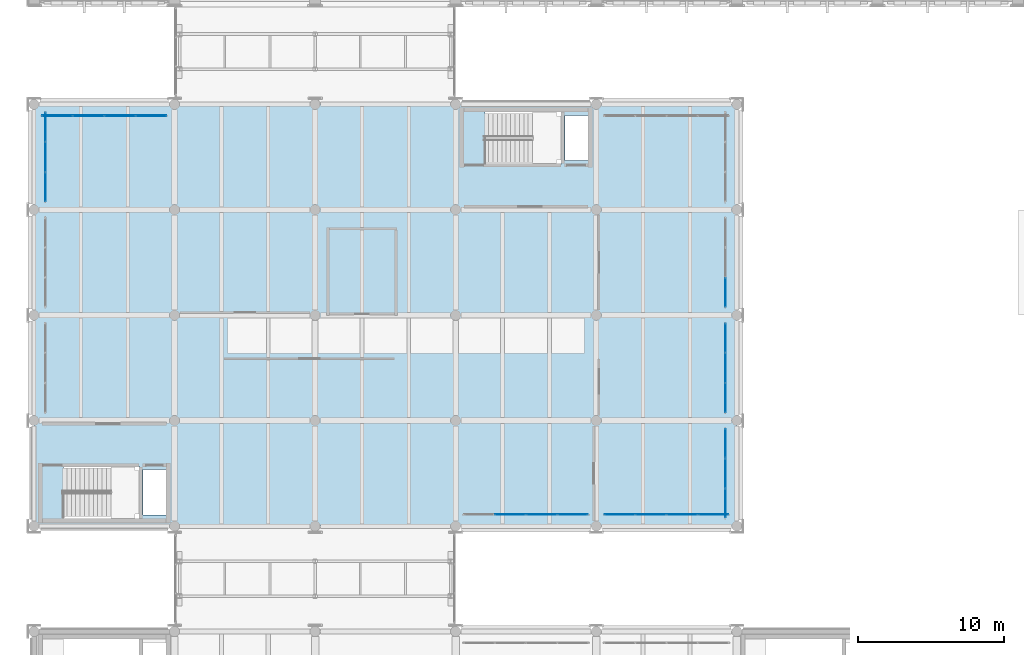
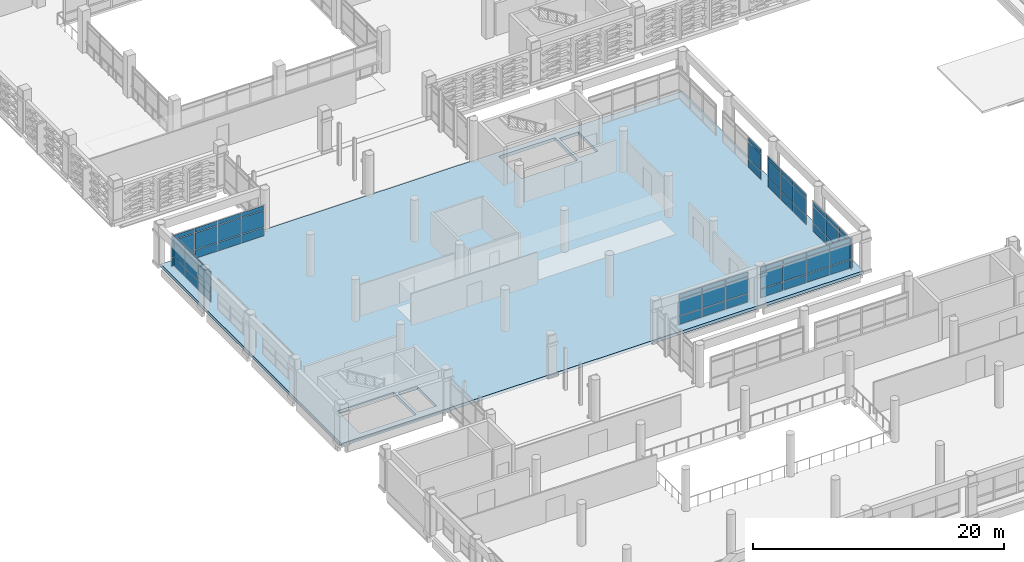
# One storey, part 123 of 180: 63 plates, 1 slab, 7 elements without a shape of their own.
"""IFC4 building model written with IfcOpenShell, lengths in metres."""

from ifc_helpers import new_model, si_unit, direction, frame, origin, origin_2d, place, context, subcontext, project, spatial, polyline, rectangle, outline, extrude, material, layer, layer_set, type_object, element, aggregate, save


model = new_model("IFC4")

# Units and contexts
model_context = context("Model", 3, precision=1e-05, world=origin(), true_north=direction((0.0, 1.0)))
body_context = subcontext(model_context, "Body", "Model", "MODEL_VIEW")
ifc_project = project(units=[si_unit("LENGTHUNIT", "METRE"), si_unit("AREAUNIT", "SQUARE_METRE"), si_unit("VOLUMEUNIT", "CUBIC_METRE"), si_unit("PLANEANGLEUNIT", "RADIAN"), si_unit("MASSUNIT", "GRAM", prefix="KILO")], contexts=[model_context])

# Site, building, storey
site_placement = place(None, origin())
site = spatial("IfcSite", under=ifc_project, at=site_placement, CompositionType="ELEMENT")
building_placement = place(site_placement, origin())
building = spatial("IfcBuilding", under=site, at=building_placement, Name="Asteropetra Specialist Clinic", CompositionType="ELEMENT")
storey_placement = place(building_placement, frame((0.0, 0.0, 4.419921875)))
storey = spatial("IfcBuildingStorey", under=building, at=storey_placement, Name="L01", CompositionType="ELEMENT", Elevation=4.419921875)

# Curtain wall, plates
ifc_material_1 = material(Name="Aluminium and low-E glass", Category="aluminium")
ifc_layer_1 = layer(ifc_material_1, 0.135009765625)
ifc_layer_set_1 = layer_set([ifc_layer_1], Name="Aluminium and low-E glass")
curtain_wall_type_1 = type_object("IfcCurtainWallType", Name="CW-SYS-09", PredefinedType="USERDEFINED", material=ifc_layer_set_1)
curtain_wall_1_placement = place(storey_placement, origin())
curtain_wall_1 = element("IfcCurtainWall", 1, at=curtain_wall_1_placement, inside=storey, type_object=curtain_wall_type_1, Name="Curtain Wall CW-156", ObjectType="STICK GLAZED COLONNADE", PredefinedType="USERDEFINED")
ifc_material_2 = material(Name="Low-E double glazing", Category="glass")
ifc_layer_2 = layer(ifc_material_2, 0.028076171875)
ifc_layer_set_2 = layer_set([ifc_layer_2], Name="Low-E double glazing")
plate_type_1 = type_object("IfcPlateType", Name="CWP-GLZ-28", PredefinedType="CURTAIN_PANEL", material=ifc_layer_set_2)
plate_1_placement = place(storey_placement, frame((32.527587890625, 34.3798828125, 0.074951171875), z_axis=(0.0, 0.0, 1.0), x_axis=(1.0, 0.0, 0.0)))
plate_1 = element("IfcPlate", 2, at=plate_1_placement, type_object=plate_type_1, Name="CW-156 panel 2.1", PredefinedType="CURTAIN_PANEL", context=body_context, shape_type="SweptSolid", body=[
    extrude(rectangle(XDim=2.070068359375, YDim=0.028076171875, at=origin_2d()), origin(), (0.0, 0.0, 1.0), 0.78759765625),
])
plate_2_placement = place(storey_placement, frame((32.527587890625, 34.3798828125, 0.9375), z_axis=(0.0, 0.0, 1.0), x_axis=(1.0, 0.0, 0.0)))
plate_2 = element("IfcPlate", 3, at=plate_2_placement, type_object=plate_type_1, Name="CW-156 panel 2.2", PredefinedType="CURTAIN_PANEL", context=body_context, shape_type="SweptSolid", body=[
    extrude(rectangle(XDim=2.070068359375, YDim=0.028076171875, at=origin_2d()), origin(), (0.0, 0.0, 1.0), 1.5849609375),
])
plate_3_placement = place(storey_placement, frame((32.527587890625, 34.3798828125, 2.59765625), z_axis=(0.0, 0.0, 1.0), x_axis=(1.0, 0.0, 0.0)))
plate_3 = element("IfcPlate", 4, at=plate_3_placement, type_object=plate_type_1, Name="CW-156 panel 2.3", PredefinedType="CURTAIN_PANEL", context=body_context, shape_type="SweptSolid", body=[
    extrude(rectangle(XDim=2.070068359375, YDim=0.028076171875, at=origin_2d()), origin(), (0.0, 0.0, 1.0), 0.387451171875),
])
plate_4_placement = place(storey_placement, frame((34.672607421875, 34.3798828125, 0.074951171875), z_axis=(0.0, 0.0, 1.0), x_axis=(1.0, 0.0, 0.0)))
plate_4 = element("IfcPlate", 5, at=plate_4_placement, type_object=plate_type_1, Name="CW-156 panel 3.1", PredefinedType="CURTAIN_PANEL", context=body_context, shape_type="SweptSolid", body=[
    extrude(rectangle(XDim=2.070068359375, YDim=0.028076171875, at=origin_2d()), origin(), (0.0, 0.0, 1.0), 0.78759765625),
])
plate_5_placement = place(storey_placement, frame((34.672607421875, 34.3798828125, 0.9375), z_axis=(0.0, 0.0, 1.0), x_axis=(1.0, 0.0, 0.0)))
plate_5 = element("IfcPlate", 6, at=plate_5_placement, type_object=plate_type_1, Name="CW-156 panel 3.2", PredefinedType="CURTAIN_PANEL", context=body_context, shape_type="SweptSolid", body=[
    extrude(rectangle(XDim=2.070068359375, YDim=0.028076171875, at=origin_2d()), origin(), (0.0, 0.0, 1.0), 1.5849609375),
])
plate_6_placement = place(storey_placement, frame((34.672607421875, 34.3798828125, 2.59765625), z_axis=(0.0, 0.0, 1.0), x_axis=(1.0, 0.0, 0.0)))
plate_6 = element("IfcPlate", 7, at=plate_6_placement, type_object=plate_type_1, Name="CW-156 panel 3.3", PredefinedType="CURTAIN_PANEL", context=body_context, shape_type="SweptSolid", body=[
    extrude(rectangle(XDim=2.070068359375, YDim=0.028076171875, at=origin_2d()), origin(), (0.0, 0.0, 1.0), 0.387451171875),
])
plate_7_placement = place(storey_placement, frame((36.798828125, 34.3798828125, 0.074951171875), z_axis=(0.0, 0.0, 1.0), x_axis=(1.0, 0.0, 0.0)))
plate_7 = element("IfcPlate", 8, at=plate_7_placement, type_object=plate_type_1, Name="CW-156 panel 4.1", PredefinedType="CURTAIN_PANEL", context=body_context, shape_type="SweptSolid", body=[
    extrude(rectangle(XDim=2.032470703125, YDim=0.028076171875, at=origin_2d()), origin(), (0.0, 0.0, 1.0), 0.78759765625),
])
plate_8_placement = place(storey_placement, frame((36.798828125, 34.3798828125, 0.9375), z_axis=(0.0, 0.0, 1.0), x_axis=(1.0, 0.0, 0.0)))
plate_8 = element("IfcPlate", 9, at=plate_8_placement, type_object=plate_type_1, Name="CW-156 panel 4.2", PredefinedType="CURTAIN_PANEL", context=body_context, shape_type="SweptSolid", body=[
    extrude(rectangle(XDim=2.032470703125, YDim=0.028076171875, at=origin_2d()), origin(), (0.0, 0.0, 1.0), 1.5849609375),
])
plate_9_placement = place(storey_placement, frame((36.798828125, 34.3798828125, 2.59765625), z_axis=(0.0, 0.0, 1.0), x_axis=(1.0, 0.0, 0.0)))
plate_9 = element("IfcPlate", 10, at=plate_9_placement, type_object=plate_type_1, Name="CW-156 panel 4.3", PredefinedType="CURTAIN_PANEL", context=body_context, shape_type="SweptSolid", body=[
    extrude(rectangle(XDim=2.032470703125, YDim=0.028076171875, at=origin_2d()), origin(), (0.0, 0.0, 1.0), 0.387451171875),
])
aggregate(curtain_wall_1, [plate_1, plate_2, plate_3, plate_4, plate_5, plate_6, plate_7, plate_8, plate_9])

ifc_material_3 = material(Name="Aluminium and low-E glass", Category="aluminium")
ifc_layer_3 = layer(ifc_material_3, 0.179931640625)
ifc_layer_set_3 = layer_set([ifc_layer_3], Name="Aluminium and low-E glass")
curtain_wall_type_2 = type_object("IfcCurtainWallType", Name="CW-SYS-01", PredefinedType="USERDEFINED", material=ifc_layer_set_3)
curtain_wall_2_placement = place(storey_placement, origin())
curtain_wall_2 = element("IfcCurtainWall", 11, at=curtain_wall_2_placement, inside=storey, type_object=curtain_wall_type_2, Name="Curtain Wall CW-164", ObjectType="UNITISED CURTAIN WALL", PredefinedType="USERDEFINED")
plate_10_placement = place(storey_placement, frame((0.780029296875, 60.844970703125, 0.06005859375), z_axis=(0.0, 0.0, 1.0), x_axis=(0.0, -1.0, 0.0)))
plate_10 = element("IfcPlate", 12, at=plate_10_placement, type_object=plate_type_1, Name="CW-164 panel 1.1", PredefinedType="CURTAIN_PANEL", context=body_context, shape_type="SweptSolid", body=[
    extrude(rectangle(XDim=1.969970703125, YDim=0.028076171875, at=origin_2d()), origin(), (0.0, 0.0, 1.0), 0.81005859375),
])
plate_11_placement = place(storey_placement, frame((0.780029296875, 60.844970703125, 0.929931640625), z_axis=(0.0, 0.0, 1.0), x_axis=(0.0, -1.0, 0.0)))
plate_11 = element("IfcPlate", 13, at=plate_11_placement, type_object=plate_type_1, Name="CW-164 panel 1.2", PredefinedType="CURTAIN_PANEL", context=body_context, shape_type="SweptSolid", body=[
    extrude(rectangle(XDim=1.969970703125, YDim=0.028076171875, at=origin_2d()), origin(), (0.0, 0.0, 1.0), 1.60009765625),
])
plate_12_placement = place(storey_placement, frame((0.780029296875, 60.844970703125, 2.59033203125), z_axis=(0.0, 0.0, 1.0), x_axis=(0.0, -1.0, 0.0)))
plate_12 = element("IfcPlate", 14, at=plate_12_placement, type_object=plate_type_1, Name="CW-164 panel 1.3", PredefinedType="CURTAIN_PANEL", context=body_context, shape_type="SweptSolid", body=[
    extrude(rectangle(XDim=1.969970703125, YDim=0.028076171875, at=origin_2d()), origin(), (0.0, 0.0, 1.0), 0.409912109375),
])
plate_13_placement = place(storey_placement, frame((0.780029296875, 58.800048828125, 0.06005859375), z_axis=(0.0, 0.0, 1.0), x_axis=(0.0, -1.0, 0.0)))
plate_13 = element("IfcPlate", 15, at=plate_13_placement, type_object=plate_type_1, Name="CW-164 panel 2.1", PredefinedType="CURTAIN_PANEL", context=body_context, shape_type="SweptSolid", body=[
    extrude(rectangle(XDim=2.0, YDim=0.028076171875, at=origin_2d()), origin(), (0.0, 0.0, 1.0), 0.81005859375),
])
plate_14_placement = place(storey_placement, frame((0.780029296875, 58.800048828125, 0.929931640625), z_axis=(0.0, 0.0, 1.0), x_axis=(0.0, -1.0, 0.0)))
plate_14 = element("IfcPlate", 16, at=plate_14_placement, type_object=plate_type_1, Name="CW-164 panel 2.2", PredefinedType="CURTAIN_PANEL", context=body_context, shape_type="SweptSolid", body=[
    extrude(rectangle(XDim=2.0, YDim=0.028076171875, at=origin_2d()), origin(), (0.0, 0.0, 1.0), 1.60009765625),
])
plate_15_placement = place(storey_placement, frame((0.780029296875, 58.800048828125, 2.59033203125), z_axis=(0.0, 0.0, 1.0), x_axis=(0.0, -1.0, 0.0)))
plate_15 = element("IfcPlate", 17, at=plate_15_placement, type_object=plate_type_1, Name="CW-164 panel 2.3", PredefinedType="CURTAIN_PANEL", context=body_context, shape_type="SweptSolid", body=[
    extrude(rectangle(XDim=2.0, YDim=0.028076171875, at=origin_2d()), origin(), (0.0, 0.0, 1.0), 0.409912109375),
])
plate_16_placement = place(storey_placement, frame((0.780029296875, 56.7548828125, 0.06005859375), z_axis=(0.0, 0.0, 1.0), x_axis=(0.0, -1.0, 0.0)))
plate_16 = element("IfcPlate", 18, at=plate_16_placement, type_object=plate_type_1, Name="CW-164 panel 3.1", PredefinedType="CURTAIN_PANEL", context=body_context, shape_type="SweptSolid", body=[
    extrude(rectangle(XDim=1.969970703125, YDim=0.028076171875, at=origin_2d()), origin(), (0.0, 0.0, 1.0), 0.81005859375),
])
plate_17_placement = place(storey_placement, frame((0.780029296875, 56.7548828125, 0.929931640625), z_axis=(0.0, 0.0, 1.0), x_axis=(0.0, -1.0, 0.0)))
plate_17 = element("IfcPlate", 19, at=plate_17_placement, type_object=plate_type_1, Name="CW-164 panel 3.2", PredefinedType="CURTAIN_PANEL", context=body_context, shape_type="SweptSolid", body=[
    extrude(rectangle(XDim=1.969970703125, YDim=0.028076171875, at=origin_2d()), origin(), (0.0, 0.0, 1.0), 1.60009765625),
])
plate_18_placement = place(storey_placement, frame((0.780029296875, 56.7548828125, 2.59033203125), z_axis=(0.0, 0.0, 1.0), x_axis=(0.0, -1.0, 0.0)))
plate_18 = element("IfcPlate", 20, at=plate_18_placement, type_object=plate_type_1, Name="CW-164 panel 3.3", PredefinedType="CURTAIN_PANEL", context=body_context, shape_type="SweptSolid", body=[
    extrude(rectangle(XDim=1.969970703125, YDim=0.028076171875, at=origin_2d()), origin(), (0.0, 0.0, 1.0), 0.409912109375),
])
aggregate(curtain_wall_2, [plate_10, plate_11, plate_12, plate_13, plate_14, plate_15, plate_16, plate_17, plate_18])

ifc_material_4 = material(Name="Aluminium and low-E glass", Category="aluminium")
ifc_layer_4 = layer(ifc_material_4, 0.14990234375)
ifc_layer_set_4 = layer_set([ifc_layer_4], Name="Aluminium and low-E glass")
curtain_wall_type_3 = type_object("IfcCurtainWallType", Name="CW-SYS-11", PredefinedType="USERDEFINED", material=ifc_layer_set_4)
curtain_wall_3_placement = place(storey_placement, origin())
curtain_wall_3 = element("IfcCurtainWall", 21, at=curtain_wall_3_placement, inside=storey, type_object=curtain_wall_type_3, Name="Curtain Wall CW-157", ObjectType="STICK GLAZED COLONNADE", PredefinedType="USERDEFINED")
ifc_material_5 = material(Name="Low-E acoustic double glazing", Category="glass")
ifc_layer_5 = layer(ifc_material_5, 0.031982421875)
ifc_layer_set_5 = layer_set([ifc_layer_5], Name="Low-E acoustic double glazing")
plate_type_2 = type_object("IfcPlateType", Name="CWP-GLZ-32", PredefinedType="CURTAIN_PANEL", material=ifc_layer_set_5)
plate_19_placement = place(storey_placement, frame((39.998779296875, 34.3798828125, 0.06494140625), z_axis=(0.0, 0.0, 1.0), x_axis=(1.0, 0.0, 0.0)))
plate_19 = element("IfcPlate", 22, at=plate_19_placement, type_object=plate_type_2, Name="CW-157 panel 1.1", PredefinedType="CURTAIN_PANEL", context=body_context, shape_type="SweptSolid", body=[
    extrude(rectangle(XDim=2.047607421875, YDim=0.031982421875, at=origin_2d()), origin(), (0.0, 0.0, 1.0), 0.802490234375),
])
plate_20_placement = place(storey_placement, frame((39.998779296875, 34.3798828125, 0.9326171875), z_axis=(0.0, 0.0, 1.0), x_axis=(1.0, 0.0, 0.0)))
plate_20 = element("IfcPlate", 23, at=plate_20_placement, type_object=plate_type_2, Name="CW-157 panel 1.2", PredefinedType="CURTAIN_PANEL", context=body_context, shape_type="SweptSolid", body=[
    extrude(rectangle(XDim=2.047607421875, YDim=0.031982421875, at=origin_2d()), origin(), (0.0, 0.0, 1.0), 1.594970703125),
])
plate_21_placement = place(storey_placement, frame((39.998779296875, 34.3798828125, 2.5927734375), z_axis=(0.0, 0.0, 1.0), x_axis=(1.0, 0.0, 0.0)))
plate_21 = element("IfcPlate", 24, at=plate_21_placement, type_object=plate_type_2, Name="CW-157 panel 1.3", PredefinedType="CURTAIN_PANEL", context=body_context, shape_type="SweptSolid", body=[
    extrude(rectangle(XDim=2.047607421875, YDim=0.031982421875, at=origin_2d()), origin(), (0.0, 0.0, 1.0), 0.402587890625),
])
plate_22_placement = place(storey_placement, frame((42.12744140625, 34.3798828125, 0.06494140625), z_axis=(0.0, 0.0, 1.0), x_axis=(1.0, 0.0, 0.0)))
plate_22 = element("IfcPlate", 25, at=plate_22_placement, type_object=plate_type_2, Name="CW-157 panel 2.1", PredefinedType="CURTAIN_PANEL", context=body_context, shape_type="SweptSolid", body=[
    extrude(rectangle(XDim=2.080078125, YDim=0.031982421875, at=origin_2d()), origin(), (0.0, 0.0, 1.0), 0.802490234375),
])
plate_23_placement = place(storey_placement, frame((42.12744140625, 34.3798828125, 0.9326171875), z_axis=(0.0, 0.0, 1.0), x_axis=(1.0, 0.0, 0.0)))
plate_23 = element("IfcPlate", 26, at=plate_23_placement, type_object=plate_type_2, Name="CW-157 panel 2.2", PredefinedType="CURTAIN_PANEL", context=body_context, shape_type="SweptSolid", body=[
    extrude(rectangle(XDim=2.080078125, YDim=0.031982421875, at=origin_2d()), origin(), (0.0, 0.0, 1.0), 1.594970703125),
])
plate_24_placement = place(storey_placement, frame((42.12744140625, 34.3798828125, 2.5927734375), z_axis=(0.0, 0.0, 1.0), x_axis=(1.0, 0.0, 0.0)))
plate_24 = element("IfcPlate", 27, at=plate_24_placement, type_object=plate_type_2, Name="CW-157 panel 2.3", PredefinedType="CURTAIN_PANEL", context=body_context, shape_type="SweptSolid", body=[
    extrude(rectangle(XDim=2.080078125, YDim=0.031982421875, at=origin_2d()), origin(), (0.0, 0.0, 1.0), 0.402587890625),
])
plate_25_placement = place(storey_placement, frame((44.2724609375, 34.3798828125, 0.06494140625), z_axis=(0.0, 0.0, 1.0), x_axis=(1.0, 0.0, 0.0)))
plate_25 = element("IfcPlate", 28, at=plate_25_placement, type_object=plate_type_2, Name="CW-157 panel 3.1", PredefinedType="CURTAIN_PANEL", context=body_context, shape_type="SweptSolid", body=[
    extrude(rectangle(XDim=2.080078125, YDim=0.031982421875, at=origin_2d()), origin(), (0.0, 0.0, 1.0), 0.802490234375),
])
plate_26_placement = place(storey_placement, frame((44.2724609375, 34.3798828125, 0.9326171875), z_axis=(0.0, 0.0, 1.0), x_axis=(1.0, 0.0, 0.0)))
plate_26 = element("IfcPlate", 29, at=plate_26_placement, type_object=plate_type_2, Name="CW-157 panel 3.2", PredefinedType="CURTAIN_PANEL", context=body_context, shape_type="SweptSolid", body=[
    extrude(rectangle(XDim=2.080078125, YDim=0.031982421875, at=origin_2d()), origin(), (0.0, 0.0, 1.0), 1.594970703125),
])
plate_27_placement = place(storey_placement, frame((44.2724609375, 34.3798828125, 2.5927734375), z_axis=(0.0, 0.0, 1.0), x_axis=(1.0, 0.0, 0.0)))
plate_27 = element("IfcPlate", 30, at=plate_27_placement, type_object=plate_type_2, Name="CW-157 panel 3.3", PredefinedType="CURTAIN_PANEL", context=body_context, shape_type="SweptSolid", body=[
    extrude(rectangle(XDim=2.080078125, YDim=0.031982421875, at=origin_2d()), origin(), (0.0, 0.0, 1.0), 0.402587890625),
])
plate_28_placement = place(storey_placement, frame((46.4013671875, 34.3798828125, 0.06494140625), z_axis=(0.0, 0.0, 1.0), x_axis=(1.0, 0.0, 0.0)))
plate_28 = element("IfcPlate", 31, at=plate_28_placement, type_object=plate_type_2, Name="CW-157 panel 4.1", PredefinedType="CURTAIN_PANEL", context=body_context, shape_type="SweptSolid", body=[
    extrude(rectangle(XDim=2.047607421875, YDim=0.031982421875, at=origin_2d()), origin(), (0.0, 0.0, 1.0), 0.802490234375),
])
plate_29_placement = place(storey_placement, frame((46.4013671875, 34.3798828125, 0.9326171875), z_axis=(0.0, 0.0, 1.0), x_axis=(1.0, 0.0, 0.0)))
plate_29 = element("IfcPlate", 32, at=plate_29_placement, type_object=plate_type_2, Name="CW-157 panel 4.2", PredefinedType="CURTAIN_PANEL", context=body_context, shape_type="SweptSolid", body=[
    extrude(rectangle(XDim=2.047607421875, YDim=0.031982421875, at=origin_2d()), origin(), (0.0, 0.0, 1.0), 1.594970703125),
])
plate_30_placement = place(storey_placement, frame((46.4013671875, 34.3798828125, 2.5927734375), z_axis=(0.0, 0.0, 1.0), x_axis=(1.0, 0.0, 0.0)))
plate_30 = element("IfcPlate", 33, at=plate_30_placement, type_object=plate_type_2, Name="CW-157 panel 4.3", PredefinedType="CURTAIN_PANEL", context=body_context, shape_type="SweptSolid", body=[
    extrude(rectangle(XDim=2.047607421875, YDim=0.031982421875, at=origin_2d()), origin(), (0.0, 0.0, 1.0), 0.402587890625),
])
aggregate(curtain_wall_3, [plate_19, plate_20, plate_21, plate_22, plate_23, plate_24, plate_25, plate_26, plate_27, plate_28, plate_29, plate_30])

ifc_material_6 = material(Name="Aluminium and low-E glass", Category="aluminium")
ifc_layer_6 = layer(ifc_material_6, 0.179931640625)
ifc_layer_set_6 = layer_set([ifc_layer_6], Name="Aluminium and low-E glass")
curtain_wall_type_4 = type_object("IfcCurtainWallType", Name="CW-SYS-10", PredefinedType="USERDEFINED", material=ifc_layer_set_6)
curtain_wall_4_placement = place(storey_placement, origin())
curtain_wall_4 = element("IfcCurtainWall", 34, at=curtain_wall_4_placement, inside=storey, type_object=curtain_wall_type_4, Name="Curtain Wall CW-161", ObjectType="STICK GLAZED COLONNADE", PredefinedType="USERDEFINED")
plate_31_placement = place(storey_placement, frame((47.219970703125, 42.35498046875, 0.06005859375), z_axis=(0.0, 0.0, 1.0), x_axis=(0.0, 1.0, 0.0)))
plate_31 = element("IfcPlate", 35, at=plate_31_placement, type_object=plate_type_2, Name="CW-161 panel 1.1", PredefinedType="CURTAIN_PANEL", context=body_context, shape_type="SweptSolid", body=[
    extrude(rectangle(XDim=1.969970703125, YDim=0.031982421875, at=origin_2d()), origin(), (0.0, 0.0, 1.0), 0.81005859375),
])
plate_32_placement = place(storey_placement, frame((47.219970703125, 42.35498046875, 0.929931640625), z_axis=(0.0, 0.0, 1.0), x_axis=(0.0, 1.0, 0.0)))
plate_32 = element("IfcPlate", 36, at=plate_32_placement, type_object=plate_type_2, Name="CW-161 panel 1.2", PredefinedType="CURTAIN_PANEL", context=body_context, shape_type="SweptSolid", body=[
    extrude(rectangle(XDim=1.969970703125, YDim=0.031982421875, at=origin_2d()), origin(), (0.0, 0.0, 1.0), 1.60009765625),
])
plate_33_placement = place(storey_placement, frame((47.219970703125, 42.35498046875, 2.59033203125), z_axis=(0.0, 0.0, 1.0), x_axis=(0.0, 1.0, 0.0)))
plate_33 = element("IfcPlate", 37, at=plate_33_placement, type_object=plate_type_2, Name="CW-161 panel 1.3", PredefinedType="CURTAIN_PANEL", context=body_context, shape_type="SweptSolid", body=[
    extrude(rectangle(XDim=1.969970703125, YDim=0.031982421875, at=origin_2d()), origin(), (0.0, 0.0, 1.0), 0.409912109375),
])
plate_34_placement = place(storey_placement, frame((47.219970703125, 44.39990234375, 0.06005859375), z_axis=(0.0, 0.0, 1.0), x_axis=(0.0, 1.0, 0.0)))
plate_34 = element("IfcPlate", 38, at=plate_34_placement, type_object=plate_type_2, Name="CW-161 panel 2.1", PredefinedType="CURTAIN_PANEL", context=body_context, shape_type="SweptSolid", body=[
    extrude(rectangle(XDim=2.0, YDim=0.031982421875, at=origin_2d()), origin(), (0.0, 0.0, 1.0), 0.81005859375),
])
plate_35_placement = place(storey_placement, frame((47.219970703125, 44.39990234375, 0.929931640625), z_axis=(0.0, 0.0, 1.0), x_axis=(0.0, 1.0, 0.0)))
plate_35 = element("IfcPlate", 39, at=plate_35_placement, type_object=plate_type_2, Name="CW-161 panel 2.2", PredefinedType="CURTAIN_PANEL", context=body_context, shape_type="SweptSolid", body=[
    extrude(rectangle(XDim=2.0, YDim=0.031982421875, at=origin_2d()), origin(), (0.0, 0.0, 1.0), 1.60009765625),
])
plate_36_placement = place(storey_placement, frame((47.219970703125, 44.39990234375, 2.59033203125), z_axis=(0.0, 0.0, 1.0), x_axis=(0.0, 1.0, 0.0)))
plate_36 = element("IfcPlate", 40, at=plate_36_placement, type_object=plate_type_2, Name="CW-161 panel 2.3", PredefinedType="CURTAIN_PANEL", context=body_context, shape_type="SweptSolid", body=[
    extrude(rectangle(XDim=2.0, YDim=0.031982421875, at=origin_2d()), origin(), (0.0, 0.0, 1.0), 0.409912109375),
])
plate_37_placement = place(storey_placement, frame((47.219970703125, 46.445068359375, 0.06005859375), z_axis=(0.0, 0.0, 1.0), x_axis=(0.0, 1.0, 0.0)))
plate_37 = element("IfcPlate", 41, at=plate_37_placement, type_object=plate_type_2, Name="CW-161 panel 3.1", PredefinedType="CURTAIN_PANEL", context=body_context, shape_type="SweptSolid", body=[
    extrude(rectangle(XDim=1.969970703125, YDim=0.031982421875, at=origin_2d()), origin(), (0.0, 0.0, 1.0), 0.81005859375),
])
plate_38_placement = place(storey_placement, frame((47.219970703125, 46.445068359375, 0.929931640625), z_axis=(0.0, 0.0, 1.0), x_axis=(0.0, 1.0, 0.0)))
plate_38 = element("IfcPlate", 42, at=plate_38_placement, type_object=plate_type_2, Name="CW-161 panel 3.2", PredefinedType="CURTAIN_PANEL", context=body_context, shape_type="SweptSolid", body=[
    extrude(rectangle(XDim=1.969970703125, YDim=0.031982421875, at=origin_2d()), origin(), (0.0, 0.0, 1.0), 1.60009765625),
])
plate_39_placement = place(storey_placement, frame((47.219970703125, 46.445068359375, 2.59033203125), z_axis=(0.0, 0.0, 1.0), x_axis=(0.0, 1.0, 0.0)))
plate_39 = element("IfcPlate", 43, at=plate_39_placement, type_object=plate_type_2, Name="CW-161 panel 3.3", PredefinedType="CURTAIN_PANEL", context=body_context, shape_type="SweptSolid", body=[
    extrude(rectangle(XDim=1.969970703125, YDim=0.031982421875, at=origin_2d()), origin(), (0.0, 0.0, 1.0), 0.409912109375),
])
aggregate(curtain_wall_4, [plate_31, plate_32, plate_33, plate_34, plate_35, plate_36, plate_37, plate_38, plate_39])

curtain_wall_5_placement = place(storey_placement, origin())
curtain_wall_5 = element("IfcCurtainWall", 44, at=curtain_wall_5_placement, inside=storey, type_object=curtain_wall_type_1, Name="Curtain Wall CW-155", ObjectType="STICK GLAZED COLONNADE", PredefinedType="USERDEFINED")
ifc_material_7 = material(Name="Laminated skylight glazing", Category="glass")
ifc_layer_7 = layer(ifc_material_7, 0.0400390625)
ifc_layer_set_7 = layer_set([ifc_layer_7], Name="Laminated skylight glazing")
plate_type_3 = type_object("IfcPlateType", Name="CWP-GLZ-40", PredefinedType="CURTAIN_PANEL", material=ifc_layer_set_7)
plate_40_placement = place(storey_placement, frame((8.00244140625, 61.6201171875, 0.06005859375), z_axis=(0.0, 0.0, 1.0), x_axis=(-1.0, 0.0, 0.0)))
plate_40 = element("IfcPlate", 45, at=plate_40_placement, type_object=plate_type_3, Name="CW-155 panel 1.1", PredefinedType="CURTAIN_PANEL", context=body_context, shape_type="SweptSolid", body=[
    extrude(rectangle(XDim=2.054931640625, YDim=0.0400390625, at=origin_2d()), origin(), (0.0, 0.0, 1.0), 0.81005859375),
])
plate_41_placement = place(storey_placement, frame((8.00244140625, 61.6201171875, 0.929931640625), z_axis=(0.0, 0.0, 1.0), x_axis=(-1.0, 0.0, 0.0)))
plate_41 = element("IfcPlate", 46, at=plate_41_placement, type_object=plate_type_3, Name="CW-155 panel 1.2", PredefinedType="CURTAIN_PANEL", context=body_context, shape_type="SweptSolid", body=[
    extrude(rectangle(XDim=2.054931640625, YDim=0.0400390625, at=origin_2d()), origin(), (0.0, 0.0, 1.0), 1.60009765625),
])
plate_42_placement = place(storey_placement, frame((8.00244140625, 61.6201171875, 2.59033203125), z_axis=(0.0, 0.0, 1.0), x_axis=(-1.0, 0.0, 0.0)))
plate_42 = element("IfcPlate", 47, at=plate_42_placement, type_object=plate_type_3, Name="CW-155 panel 1.3", PredefinedType="CURTAIN_PANEL", context=body_context, shape_type="SweptSolid", body=[
    extrude(rectangle(XDim=2.054931640625, YDim=0.0400390625, at=origin_2d()), origin(), (0.0, 0.0, 1.0), 0.409912109375),
])
plate_43_placement = place(storey_placement, frame((5.87255859375, 61.6201171875, 0.06005859375), z_axis=(0.0, 0.0, 1.0), x_axis=(-1.0, 0.0, 0.0)))
plate_43 = element("IfcPlate", 48, at=plate_43_placement, type_object=plate_type_3, Name="CW-155 panel 2.1", PredefinedType="CURTAIN_PANEL", context=body_context, shape_type="SweptSolid", body=[
    extrude(rectangle(XDim=2.0849609375, YDim=0.0400390625, at=origin_2d()), origin(), (0.0, 0.0, 1.0), 0.81005859375),
])
plate_44_placement = place(storey_placement, frame((5.87255859375, 61.6201171875, 0.929931640625), z_axis=(0.0, 0.0, 1.0), x_axis=(-1.0, 0.0, 0.0)))
plate_44 = element("IfcPlate", 49, at=plate_44_placement, type_object=plate_type_3, Name="CW-155 panel 2.2", PredefinedType="CURTAIN_PANEL", context=body_context, shape_type="SweptSolid", body=[
    extrude(rectangle(XDim=2.0849609375, YDim=0.0400390625, at=origin_2d()), origin(), (0.0, 0.0, 1.0), 1.60009765625),
])
plate_45_placement = place(storey_placement, frame((5.87255859375, 61.6201171875, 2.59033203125), z_axis=(0.0, 0.0, 1.0), x_axis=(-1.0, 0.0, 0.0)))
plate_45 = element("IfcPlate", 50, at=plate_45_placement, type_object=plate_type_3, Name="CW-155 panel 2.3", PredefinedType="CURTAIN_PANEL", context=body_context, shape_type="SweptSolid", body=[
    extrude(rectangle(XDim=2.0849609375, YDim=0.0400390625, at=origin_2d()), origin(), (0.0, 0.0, 1.0), 0.409912109375),
])
plate_46_placement = place(storey_placement, frame((3.7275390625, 61.6201171875, 0.06005859375), z_axis=(0.0, 0.0, 1.0), x_axis=(-1.0, 0.0, 0.0)))
plate_46 = element("IfcPlate", 51, at=plate_46_placement, type_object=plate_type_3, Name="CW-155 panel 3.1", PredefinedType="CURTAIN_PANEL", context=body_context, shape_type="SweptSolid", body=[
    extrude(rectangle(XDim=2.0849609375, YDim=0.0400390625, at=origin_2d()), origin(), (0.0, 0.0, 1.0), 0.81005859375),
])
plate_47_placement = place(storey_placement, frame((3.7275390625, 61.6201171875, 0.929931640625), z_axis=(0.0, 0.0, 1.0), x_axis=(-1.0, 0.0, 0.0)))
plate_47 = element("IfcPlate", 52, at=plate_47_placement, type_object=plate_type_3, Name="CW-155 panel 3.2", PredefinedType="CURTAIN_PANEL", context=body_context, shape_type="SweptSolid", body=[
    extrude(rectangle(XDim=2.0849609375, YDim=0.0400390625, at=origin_2d()), origin(), (0.0, 0.0, 1.0), 1.60009765625),
])
plate_48_placement = place(storey_placement, frame((3.7275390625, 61.6201171875, 2.59033203125), z_axis=(0.0, 0.0, 1.0), x_axis=(-1.0, 0.0, 0.0)))
plate_48 = element("IfcPlate", 53, at=plate_48_placement, type_object=plate_type_3, Name="CW-155 panel 3.3", PredefinedType="CURTAIN_PANEL", context=body_context, shape_type="SweptSolid", body=[
    extrude(rectangle(XDim=2.0849609375, YDim=0.0400390625, at=origin_2d()), origin(), (0.0, 0.0, 1.0), 0.409912109375),
])
plate_49_placement = place(storey_placement, frame((1.597412109375, 61.6201171875, 0.06005859375), z_axis=(0.0, 0.0, 1.0), x_axis=(-1.0, 0.0, 0.0)))
plate_49 = element("IfcPlate", 54, at=plate_49_placement, type_object=plate_type_3, Name="CW-155 panel 4.1", PredefinedType="CURTAIN_PANEL", context=body_context, shape_type="SweptSolid", body=[
    extrude(rectangle(XDim=2.054931640625, YDim=0.0400390625, at=origin_2d()), origin(), (0.0, 0.0, 1.0), 0.81005859375),
])
plate_50_placement = place(storey_placement, frame((1.597412109375, 61.6201171875, 0.929931640625), z_axis=(0.0, 0.0, 1.0), x_axis=(-1.0, 0.0, 0.0)))
plate_50 = element("IfcPlate", 55, at=plate_50_placement, type_object=plate_type_3, Name="CW-155 panel 4.2", PredefinedType="CURTAIN_PANEL", context=body_context, shape_type="SweptSolid", body=[
    extrude(rectangle(XDim=2.054931640625, YDim=0.0400390625, at=origin_2d()), origin(), (0.0, 0.0, 1.0), 1.60009765625),
])
plate_51_placement = place(storey_placement, frame((1.597412109375, 61.6201171875, 2.59033203125), z_axis=(0.0, 0.0, 1.0), x_axis=(-1.0, 0.0, 0.0)))
plate_51 = element("IfcPlate", 56, at=plate_51_placement, type_object=plate_type_3, Name="CW-155 panel 4.3", PredefinedType="CURTAIN_PANEL", context=body_context, shape_type="SweptSolid", body=[
    extrude(rectangle(XDim=2.054931640625, YDim=0.0400390625, at=origin_2d()), origin(), (0.0, 0.0, 1.0), 0.409912109375),
])
aggregate(curtain_wall_5, [plate_40, plate_41, plate_42, plate_43, plate_44, plate_45, plate_46, plate_47, plate_48, plate_49, plate_50, plate_51])

curtain_wall_6_placement = place(storey_placement, origin())
curtain_wall_6 = element("IfcCurtainWall", 57, at=curtain_wall_6_placement, inside=storey, type_object=curtain_wall_type_3, Name="Curtain Wall CW-159", ObjectType="STICK GLAZED COLONNADE", PredefinedType="USERDEFINED")
plate_52_placement = place(storey_placement, frame((47.219970703125, 35.15869140625, 0.074951171875), z_axis=(0.0, 0.0, 1.0), x_axis=(0.0, 1.0, 0.0)))
plate_52 = element("IfcPlate", 58, at=plate_52_placement, type_object=plate_type_3, Name="CW-159 panel 1.1", PredefinedType="CURTAIN_PANEL", context=body_context, shape_type="SweptSolid", body=[
    extrude(rectangle(XDim=1.947509765625, YDim=0.0400390625, at=origin_2d()), origin(), (0.0, 0.0, 1.0), 0.78759765625),
])
plate_53_placement = place(storey_placement, frame((47.219970703125, 35.15869140625, 0.9375), z_axis=(0.0, 0.0, 1.0), x_axis=(0.0, 1.0, 0.0)))
plate_53 = element("IfcPlate", 59, at=plate_53_placement, type_object=plate_type_3, Name="CW-159 panel 1.2", PredefinedType="CURTAIN_PANEL", context=body_context, shape_type="SweptSolid", body=[
    extrude(rectangle(XDim=1.947509765625, YDim=0.0400390625, at=origin_2d()), origin(), (0.0, 0.0, 1.0), 1.5849609375),
])
plate_54_placement = place(storey_placement, frame((47.219970703125, 35.15869140625, 2.59765625), z_axis=(0.0, 0.0, 1.0), x_axis=(0.0, 1.0, 0.0)))
plate_54 = element("IfcPlate", 60, at=plate_54_placement, type_object=plate_type_3, Name="CW-159 panel 1.3", PredefinedType="CURTAIN_PANEL", context=body_context, shape_type="SweptSolid", body=[
    extrude(rectangle(XDim=1.947509765625, YDim=0.0400390625, at=origin_2d()), origin(), (0.0, 0.0, 1.0), 0.387451171875),
])
plate_55_placement = place(storey_placement, frame((47.219970703125, 37.199951171875, 0.074951171875), z_axis=(0.0, 0.0, 1.0), x_axis=(0.0, 1.0, 0.0)))
plate_55 = element("IfcPlate", 61, at=plate_55_placement, type_object=plate_type_3, Name="CW-159 panel 2.1", PredefinedType="CURTAIN_PANEL", context=body_context, shape_type="SweptSolid", body=[
    extrude(rectangle(XDim=1.985107421875, YDim=0.0400390625, at=origin_2d()), origin(), (0.0, 0.0, 1.0), 0.78759765625),
])
plate_56_placement = place(storey_placement, frame((47.219970703125, 37.199951171875, 0.9375), z_axis=(0.0, 0.0, 1.0), x_axis=(0.0, 1.0, 0.0)))
plate_56 = element("IfcPlate", 62, at=plate_56_placement, type_object=plate_type_3, Name="CW-159 panel 2.2", PredefinedType="CURTAIN_PANEL", context=body_context, shape_type="SweptSolid", body=[
    extrude(rectangle(XDim=1.985107421875, YDim=0.0400390625, at=origin_2d()), origin(), (0.0, 0.0, 1.0), 1.5849609375),
])
plate_57_placement = place(storey_placement, frame((47.219970703125, 37.199951171875, 2.59765625), z_axis=(0.0, 0.0, 1.0), x_axis=(0.0, 1.0, 0.0)))
plate_57 = element("IfcPlate", 63, at=plate_57_placement, type_object=plate_type_3, Name="CW-159 panel 2.3", PredefinedType="CURTAIN_PANEL", context=body_context, shape_type="SweptSolid", body=[
    extrude(rectangle(XDim=1.985107421875, YDim=0.0400390625, at=origin_2d()), origin(), (0.0, 0.0, 1.0), 0.387451171875),
])
plate_58_placement = place(storey_placement, frame((47.219970703125, 39.2412109375, 0.074951171875), z_axis=(0.0, 0.0, 1.0), x_axis=(0.0, 1.0, 0.0)))
plate_58 = element("IfcPlate", 64, at=plate_58_placement, type_object=plate_type_3, Name="CW-159 panel 3.1", PredefinedType="CURTAIN_PANEL", context=body_context, shape_type="SweptSolid", body=[
    extrude(rectangle(XDim=1.947509765625, YDim=0.0400390625, at=origin_2d()), origin(), (0.0, 0.0, 1.0), 0.78759765625),
])
plate_59_placement = place(storey_placement, frame((47.219970703125, 39.2412109375, 0.9375), z_axis=(0.0, 0.0, 1.0), x_axis=(0.0, 1.0, 0.0)))
plate_59 = element("IfcPlate", 65, at=plate_59_placement, type_object=plate_type_3, Name="CW-159 panel 3.2", PredefinedType="CURTAIN_PANEL", context=body_context, shape_type="SweptSolid", body=[
    extrude(rectangle(XDim=1.947509765625, YDim=0.0400390625, at=origin_2d()), origin(), (0.0, 0.0, 1.0), 1.5849609375),
])
plate_60_placement = place(storey_placement, frame((47.219970703125, 39.2412109375, 2.59765625), z_axis=(0.0, 0.0, 1.0), x_axis=(0.0, 1.0, 0.0)))
plate_60 = element("IfcPlate", 66, at=plate_60_placement, type_object=plate_type_3, Name="CW-159 panel 3.3", PredefinedType="CURTAIN_PANEL", context=body_context, shape_type="SweptSolid", body=[
    extrude(rectangle(XDim=1.947509765625, YDim=0.0400390625, at=origin_2d()), origin(), (0.0, 0.0, 1.0), 0.387451171875),
])
aggregate(curtain_wall_6, [plate_52, plate_53, plate_54, plate_55, plate_56, plate_57, plate_58, plate_59, plate_60])

curtain_wall_7_placement = place(storey_placement, origin())
curtain_wall_7 = element("IfcCurtainWall", 67, at=curtain_wall_7_placement, inside=storey, type_object=curtain_wall_type_4, Name="Curtain Wall CW-163", ObjectType="STICK GLAZED COLONNADE", PredefinedType="USERDEFINED")
plate_61_placement = place(storey_placement, frame((47.219970703125, 49.55615234375, 0.06494140625), z_axis=(0.0, 0.0, 1.0), x_axis=(0.0, 1.0, 0.0)))
plate_61 = element("IfcPlate", 68, at=plate_61_placement, type_object=plate_type_3, Name="CW-163 panel 1.1", PredefinedType="CURTAIN_PANEL", context=body_context, shape_type="SweptSolid", body=[
    extrude(rectangle(XDim=1.96240234375, YDim=0.0400390625, at=origin_2d()), origin(), (0.0, 0.0, 1.0), 0.802490234375),
])
plate_62_placement = place(storey_placement, frame((47.219970703125, 49.55615234375, 0.9326171875), z_axis=(0.0, 0.0, 1.0), x_axis=(0.0, 1.0, 0.0)))
plate_62 = element("IfcPlate", 69, at=plate_62_placement, type_object=plate_type_3, Name="CW-163 panel 1.2", PredefinedType="CURTAIN_PANEL", context=body_context, shape_type="SweptSolid", body=[
    extrude(rectangle(XDim=1.96240234375, YDim=0.0400390625, at=origin_2d()), origin(), (0.0, 0.0, 1.0), 1.594970703125),
])
plate_63_placement = place(storey_placement, frame((47.219970703125, 49.55615234375, 2.5927734375), z_axis=(0.0, 0.0, 1.0), x_axis=(0.0, 1.0, 0.0)))
plate_63 = element("IfcPlate", 70, at=plate_63_placement, type_object=plate_type_3, Name="CW-163 panel 1.3", PredefinedType="CURTAIN_PANEL", context=body_context, shape_type="SweptSolid", body=[
    extrude(rectangle(XDim=1.96240234375, YDim=0.0400390625, at=origin_2d()), origin(), (0.0, 0.0, 1.0), 0.402587890625),
])
aggregate(curtain_wall_7, [plate_61, plate_62, plate_63])

# Slab
ifc_material_8 = material(Name="Concrete C35/45", Category="concrete")
ifc_layer_8 = layer(ifc_material_8, 0.300048828125)
ifc_layer_set_8 = layer_set([ifc_layer_8], Name="Concrete C35/45")
slab_type = type_object("IfcSlabType", Name="SLB-FLR-300", PredefinedType="FLOOR", material=ifc_layer_set_8)
slab_placement = place(storey_placement, frame((0.0, 0.0, -0.2998046875)))
element("IfcSlab", 71, at=slab_placement, inside=storey, type_object=slab_type, Name="Slab V5 L01", PredefinedType="FLOOR", context=body_context, shape_type="SweptSolid", body=[
    extrude(outline(polyline([(0.0, 33.60009765625), (48.0, 33.60009765625), (48.0, 62.39990234375), (0.0, 62.39990234375), (0.0, 33.60009765625)]), holes=[polyline([(2.0, 34.1201171875), (7.179931640625, 34.1201171875), (7.179931640625, 37.699951171875), (2.0, 37.699951171875), (2.0, 34.1201171875)]), polyline([(7.449951171875, 34.3701171875), (9.199951171875, 34.3701171875), (9.199951171875, 37.449951171875), (7.449951171875, 37.449951171875), (7.449951171875, 34.3701171875)]), polyline([(30.800048828125, 58.300048828125), (35.97998046875, 58.300048828125), (35.97998046875, 61.8798828125), (30.800048828125, 61.8798828125), (30.800048828125, 58.300048828125)]), polyline([(36.25, 58.550048828125), (38.0, 58.550048828125), (38.0, 61.6298828125), (36.25, 61.6298828125), (36.25, 58.550048828125)])]), origin(), (0.0, 0.0, 1.0), 0.2998046875),
])

save(model, "model.ifc")
